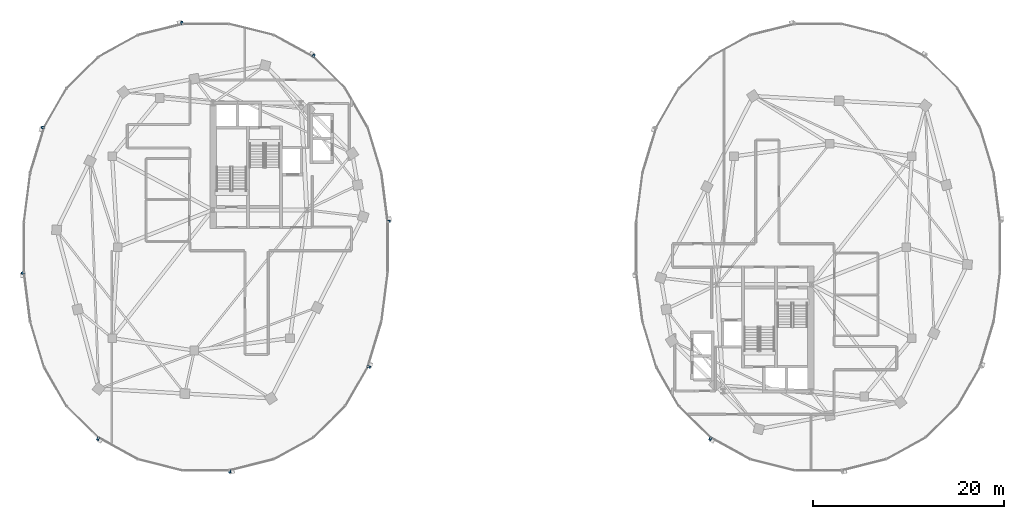
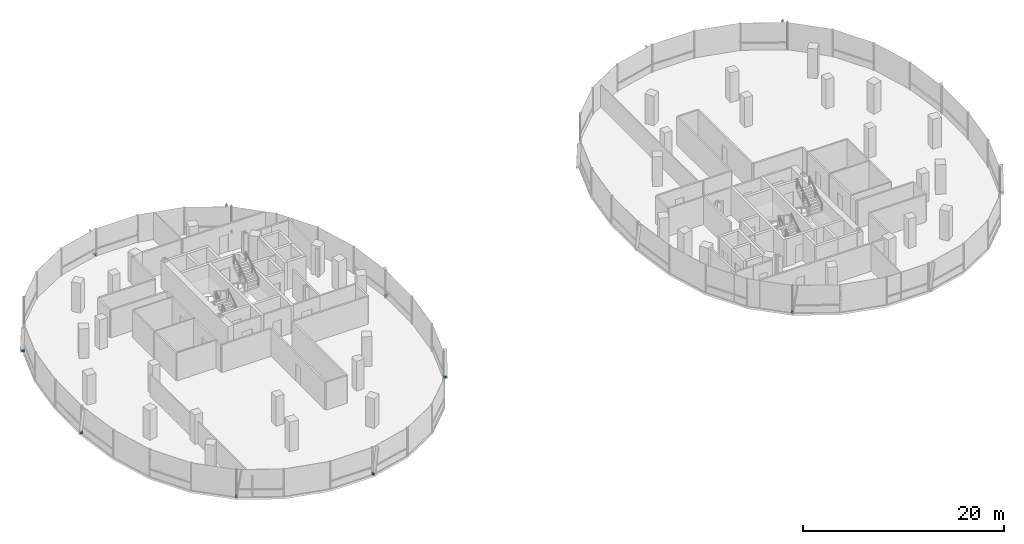
# One storey, part 15 of 21: 9 discrete accessories.
"""IFC4 building model written with IfcOpenShell, lengths in metres."""

from ifc_helpers import new_model, si_unit, direction, frame, origin, origin_2d, place, context, subcontext, project, spatial, rectangle, extrude, material, type_object, element, save


model = new_model("IFC4")

# Units and contexts
model_context = context("Model", 3, precision=1e-05, world=origin(), true_north=direction((0.0, 1.0)))
body_context = subcontext(model_context, "Body", "Model", "MODEL_VIEW")
ifc_project = project(units=[si_unit("LENGTHUNIT", "METRE"), si_unit("AREAUNIT", "SQUARE_METRE"), si_unit("VOLUMEUNIT", "CUBIC_METRE"), si_unit("PLANEANGLEUNIT", "RADIAN"), si_unit("MASSUNIT", "GRAM", prefix="KILO"), si_unit("THERMODYNAMICTEMPERATUREUNIT", "KELVIN"), si_unit("POWERUNIT", "WATT")], contexts=[model_context])

# Site, building, storey
site_placement = place(None, origin())
site = spatial("IfcSite", under=ifc_project, at=site_placement, CompositionType="ELEMENT")
building_placement = place(site_placement, origin())
building = spatial("IfcBuilding", under=site, at=building_placement, Name="Cundina Bronze Exchange", CompositionType="ELEMENT")
storey_placement = place(building_placement, frame((0.0, 0.0, 180.0)))
storey = spatial("IfcBuildingStorey", under=building, at=storey_placement, Name="L47", CompositionType="ELEMENT", Elevation=180.0)

# Discrete accessories
ifc_material = material(Name="Anodised Bronze Aluminium 6063-T6", Category="aluminium")
discrete_accessory_type = type_object("IfcDiscreteAccessoryType", Name="ACC-BRK-FIN", PredefinedType="BRACKET", material=ifc_material)
for number, where, z_axis, x_axis, name in (
    (1, (-12.874267578125, 2.69189453125, 0.10009765625), (0.0, 0.0, 1.0), (-0.126475984253, 0.9919696696, 0.0), "L47 Fin Support Bracket 1"),
    (2, (-20.733154296875, 20.015380859375, 0.10009765625), (0.0, 0.0, 1.0), (-0.875869093438, 0.482548786301, 0.0), "L47 Fin Support Bracket 5"),
    (3, (-34.492919921875, 23.44970703125, 0.10009765625), (0.0, 0.0, 1.0), (-0.970092713791, -0.242734683656, 0.0), "L47 Fin Support Bracket 1"),
    (4, (-49.0458984375, 12.511962890625, 0.10009765625), (0.0, 0.0, 1.0), (-0.290050843957, -0.957011237092, 0.0), "L47 Fin Support Bracket 5"),
    (5, (-51.125732421875, -2.69189453125, 0.10009765625), (0.0, 0.0, 1.0), (0.126475984253, -0.9919696696, 0.0), "L47 Fin Support Bracket 1"),
    (6, (-43.266845703125, -20.015380859375, 0.10009765625), (0.0, 0.0, 1.0), (0.875869093438, -0.482548786301, 0.0), "L47 Fin Support Bracket 5"),
    (7, (-29.507080078125, -23.44970703125, 0.10009765625), (0.0, 0.0, 1.0), (0.970092713791, 0.242734683656, 0.0), "L47 Fin Support Bracket 1"),
    (8, (-14.9541015625, -12.511962890625, 0.10009765625), (0.0, 0.0, 1.0), (0.290050843957, 0.957011237092, 0.0), "L47 Fin Support Bracket 5"),
    (9, (20.733154296875, -20.015380859375, 0.10009765625), (0.0, 0.0, 1.0), (0.875869093438, -0.482548786301, 0.0), "L47 Fin Support Bracket 5"),
):
    element("IfcDiscreteAccessory", number, at=place(storey_placement, frame(where, z_axis=z_axis, x_axis=x_axis)), inside=storey, type_object=discrete_accessory_type, Name=name, PredefinedType="BRACKET", context=body_context, shape_type="SweptSolid", body=[
        extrude(rectangle(XDim=0.219970703125, YDim=0.320068359375, at=origin_2d()), origin(), (0.0, 0.0, 1.0), 0.239990234375),
    ])

save(model, "model.ifc")
